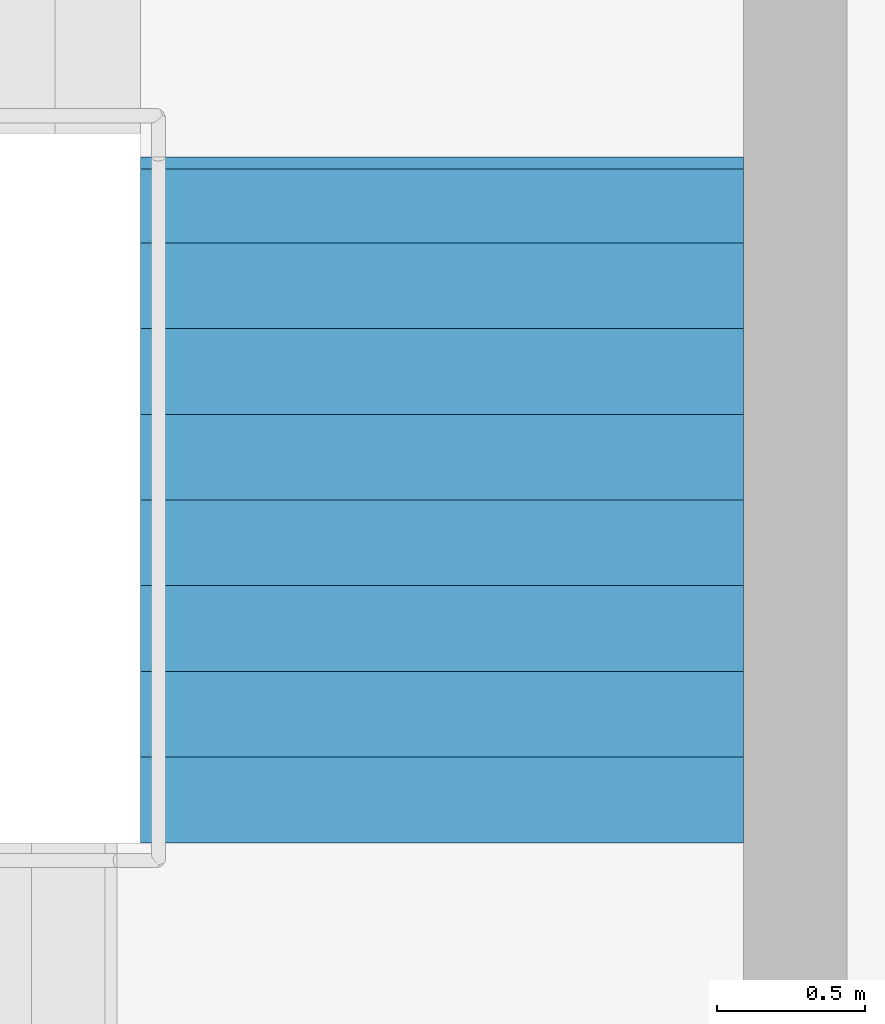
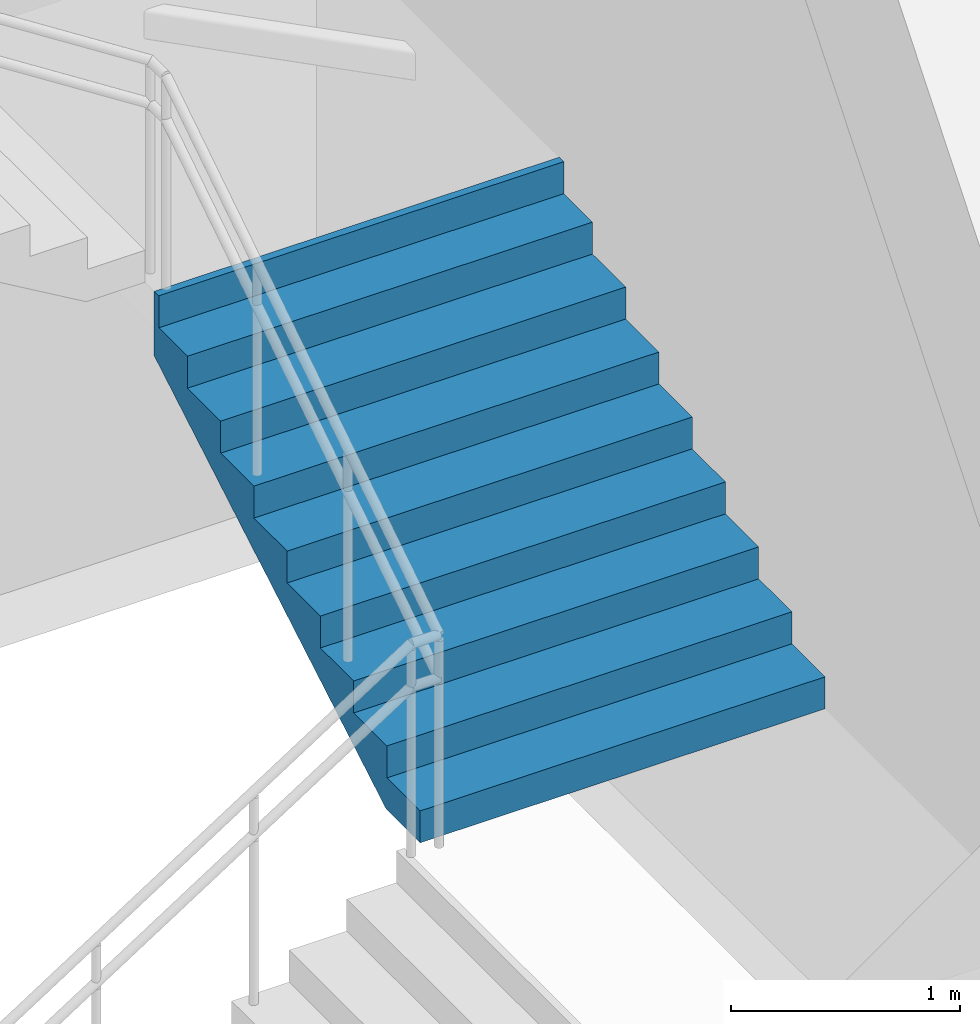
# One storey, part 42 of 46: 1 stair flight, 1 element without a shape of its own.
"""IFC4 building model written with IfcOpenShell, lengths in metres."""

from ifc_helpers import new_model, si_unit, direction, frame, origin, place, context, subcontext, project, spatial, triangles, material, type_object, element, aggregate, save


model = new_model("IFC4")

# Units and contexts
model_context = context("Model", 3, precision=1e-05, world=origin(), true_north=direction((0.0, 1.0)))
body_context = subcontext(model_context, "Body", "Model", "MODEL_VIEW")
ifc_project = project(units=[si_unit("LENGTHUNIT", "METRE"), si_unit("AREAUNIT", "SQUARE_METRE"), si_unit("VOLUMEUNIT", "CUBIC_METRE"), si_unit("PLANEANGLEUNIT", "RADIAN"), si_unit("MASSUNIT", "GRAM", prefix="KILO")], contexts=[model_context])

# Site, building, storey
site_placement = place(None, origin())
site = spatial("IfcSite", under=ifc_project, at=site_placement, CompositionType="ELEMENT")
building_placement = place(site_placement, origin())
building = spatial("IfcBuilding", under=site, at=building_placement, Name="Sillaruma Civic Art Gallery", CompositionType="ELEMENT")
storey_placement = place(building_placement, frame((0.0, 0.0, 16.320068359375)))
storey = spatial("IfcBuildingStorey", under=building, at=storey_placement, Name="L03", CompositionType="ELEMENT", Elevation=16.320068359375)

# Stair, stair flight
ifc_material = material(Name="Concrete H35 (35 MPa)", Category="concrete")
stair_type = type_object("IfcStairType", Name="STR-4F-36", PredefinedType="USERDEFINED", material=ifc_material)
stair_placement = place(storey_placement, origin())
stair = element("IfcStair", 1, at=stair_placement, inside=storey, type_object=stair_type, Name="Protected Exit Stair ST-02 (West Bar North) (L03)", ObjectType="THREE_RETURN_STAIR", PredefinedType="USERDEFINED")
stair_flight_type = type_object("IfcStairFlightType", Name="SFL-STR-9", PredefinedType="STRAIGHT", material=ifc_material)
stair_flight_placement = place(storey_placement, frame((68.219970703125, 82.949951171875, 1.530029296875), z_axis=(0.0, 0.0, 1.0), x_axis=(0.0, 1.0, 0.0)))
stair_flight = element("IfcStairFlight", 2, at=stair_flight_placement, type_object=stair_flight_type, Name="ST-02 flight 2", NumberOfRisers=9, NumberOfTreads=8, PredefinedType="STRAIGHT", RiserHeight=0.17, TreadLength=0.29, context=body_context, shape_type="Tessellation", body=[
    triangles([(0.0, -1.02001953125, 0.0), (0.29, -1.02001953125, 0.0), (0.296482, -1.02001953125, 0.0), (0.58, -1.02001953125, 0.1662), (0.87, -1.02001953125, 0.3362), (1.16, -1.02001953125, 0.5062), (1.45, -1.02001953125, 0.6762), (1.74, -1.02001953125, 0.8462), (2.03, -1.02001953125, 1.0162), (2.280068, -1.02001953125, 1.162792), (2.320068, -1.02001953125, 1.18624), (2.320068, -1.02001953125, 1.53), (2.280068, -1.02001953125, 1.53), (2.280068, -1.02001953125, 1.36), (2.03, -1.02001953125, 1.36), (2.03, -1.02001953125, 1.19), (1.74, -1.02001953125, 1.19), (1.74, -1.02001953125, 1.02), (1.45, -1.02001953125, 1.02), (1.45, -1.02001953125, 0.85), (1.16, -1.02001953125, 0.85), (1.16, -1.02001953125, 0.68), (0.87, -1.02001953125, 0.68), (0.87, -1.02001953125, 0.51), (0.58, -1.02001953125, 0.51), (0.58, -1.02001953125, 0.34), (0.296482, -1.02001953125, 0.34), (0.29, -1.02001953125, 0.34), (0.29, -1.02001953125, 0.17), (0.0, -1.02001953125, 0.17), (0.0, -0.05, 0.0), (0.29, -0.05, 0.0), (0.296482, -0.05, 0.0), (0.58, -0.05, 0.1662), (0.87, -0.05, 0.3362), (1.16, -0.05, 0.5062), (1.45, -0.05, 0.6762), (1.74, -0.05, 0.8462), (2.03, -0.05, 1.0162), (2.280068, -0.05, 1.162792), (2.320068, -0.05, 1.18624), (2.320068, -0.05, 1.53), (2.280068, -0.05, 1.53), (2.280068, -0.05, 1.36), (2.03, -0.05, 1.36), (2.03, -0.05, 1.19), (1.74, -0.05, 1.19), (1.74, -0.05, 1.02), (1.45, -0.05, 1.02), (1.45, -0.05, 0.85), (1.16, -0.05, 0.85), (1.16, -0.05, 0.68), (0.87, -0.05, 0.68), (0.87, -0.05, 0.51), (0.58, -0.05, 0.51), (0.58, -0.05, 0.34), (0.296482, -0.05, 0.34), (0.29, -0.05, 0.34), (0.29, -0.05, 0.17), (0.0, -0.05, 0.17), (0.0, -0.0375, 0.0), (0.29, -0.0375, 0.0), (0.296482, -0.0375, 0.0), (0.58, -0.0375, 0.1662), (0.87, -0.0375, 0.3362), (1.16, -0.0375, 0.5062), (1.45, -0.0375, 0.6762), (1.74, -0.0375, 0.8462), (2.03, -0.0375, 1.0162), (2.280068, -0.0375, 1.162792), (2.320068, -0.0375, 1.18624), (2.320068, -0.0375, 1.53), (2.280068, -0.0375, 1.53), (2.280068, -0.0375, 1.36), (2.03, -0.0375, 1.36), (2.03, -0.0375, 1.19), (1.74, -0.0375, 1.19), (1.74, -0.0375, 1.02), (1.45, -0.0375, 1.02), (1.45, -0.0375, 0.85), (1.16, -0.0375, 0.85), (1.16, -0.0375, 0.68), (0.87, -0.0375, 0.68), (0.87, -0.0375, 0.51), (0.58, -0.0375, 0.51), (0.58, -0.0375, 0.34), (0.296482, -0.0375, 0.34), (0.29, -0.0375, 0.34), (0.29, -0.0375, 0.17), (0.0, -0.0375, 0.17), (0.0, -0.025, 0.0), (0.29, -0.025, 0.0), (0.296482, -0.025, 0.0), (0.58, -0.025, 0.1662), (0.87, -0.025, 0.3362), (1.16, -0.025, 0.5062), (1.45, -0.025, 0.6762), (1.74, -0.025, 0.8462), (2.03, -0.025, 1.0162), (2.280068, -0.025, 1.162792), (2.320068, -0.025, 1.18624), (2.320068, -0.025, 1.53), (2.280068, -0.025, 1.53), (2.280068, -0.025, 1.36), (2.03, -0.025, 1.36), (2.03, -0.025, 1.19), (1.74, -0.025, 1.19), (1.74, -0.025, 1.02), (1.45, -0.025, 1.02), (1.45, -0.025, 0.85), (1.16, -0.025, 0.85), (1.16, -0.025, 0.68), (0.87, -0.025, 0.68), (0.87, -0.025, 0.51), (0.58, -0.025, 0.51), (0.58, -0.025, 0.34), (0.296482, -0.025, 0.34), (0.29, -0.025, 0.34), (0.29, -0.025, 0.17), (0.0, -0.025, 0.17), (0.0, -0.0125, 0.0), (0.29, -0.0125, 0.0), (0.296482, -0.0125, 0.0), (0.58, -0.0125, 0.1662), (0.87, -0.0125, 0.3362), (1.16, -0.0125, 0.5062), (1.45, -0.0125, 0.6762), (1.74, -0.0125, 0.8462), (2.03, -0.0125, 1.0162), (2.280068, -0.0125, 1.162792), (2.320068, -0.0125, 1.18624), (2.320068, -0.0125, 1.53), (2.280068, -0.0125, 1.53), (2.280068, -0.0125, 1.36), (2.03, -0.0125, 1.36), (2.03, -0.0125, 1.19), (1.74, -0.0125, 1.19), (1.74, -0.0125, 1.02), (1.45, -0.0125, 1.02), (1.45, -0.0125, 0.85), (1.16, -0.0125, 0.85), (1.16, -0.0125, 0.68), (0.87, -0.0125, 0.68), (0.87, -0.0125, 0.51), (0.58, -0.0125, 0.51), (0.58, -0.0125, 0.34), (0.296482, -0.0125, 0.34), (0.29, -0.0125, 0.34), (0.29, -0.0125, 0.17), (0.0, -0.0125, 0.17), (0.0, 0.0, 0.0), (0.29, 0.0, 0.0), (0.296482, 0.0, 0.0), (0.58, 0.0, 0.1662), (0.87, 0.0, 0.3362), (1.16, 0.0, 0.5062), (1.45, 0.0, 0.6762), (1.74, 0.0, 0.8462), (2.03, 0.0, 1.0162), (2.280068, 0.0, 1.162792), (2.320068, 0.0, 1.18624), (2.320068, 0.0, 1.53), (2.280068, 0.0, 1.53), (2.280068, 0.0, 1.36), (2.03, 0.0, 1.36), (2.03, 0.0, 1.19), (1.74, 0.0, 1.19), (1.74, 0.0, 1.02), (1.45, 0.0, 1.02), (1.45, 0.0, 0.85), (1.16, 0.0, 0.85), (1.16, 0.0, 0.68), (0.87, 0.0, 0.68), (0.87, 0.0, 0.51), (0.58, 0.0, 0.51), (0.58, 0.0, 0.34), (0.296482, 0.0, 0.34), (0.29, 0.0, 0.34), (0.29, 0.0, 0.17), (0.0, 0.0, 0.17), (0.0, 0.0125, 0.0), (0.29, 0.0125, 0.0), (0.296482, 0.0125, 0.0), (0.58, 0.0125, 0.1662), (0.87, 0.0125, 0.3362), (1.16, 0.0125, 0.5062), (1.45, 0.0125, 0.6762), (1.74, 0.0125, 0.8462), (2.03, 0.0125, 1.0162), (2.280068, 0.0125, 1.162792), (2.320068, 0.0125, 1.18624), (2.320068, 0.0125, 1.53), (2.280068, 0.0125, 1.53), (2.280068, 0.0125, 1.36), (2.03, 0.0125, 1.36), (2.03, 0.0125, 1.19), (1.74, 0.0125, 1.19), (1.74, 0.0125, 1.02), (1.45, 0.0125, 1.02), (1.45, 0.0125, 0.85), (1.16, 0.0125, 0.85), (1.16, 0.0125, 0.68), (0.87, 0.0125, 0.68), (0.87, 0.0125, 0.51), (0.58, 0.0125, 0.51), (0.58, 0.0125, 0.34), (0.296482, 0.0125, 0.34), (0.29, 0.0125, 0.34), (0.29, 0.0125, 0.17), (0.0, 0.0125, 0.17), (0.0, 0.025, 0.0), (0.29, 0.025, 0.0), (0.296482, 0.025, 0.0), (0.58, 0.025, 0.1662), (0.87, 0.025, 0.3362), (1.16, 0.025, 0.5062), (1.45, 0.025, 0.6762), (1.74, 0.025, 0.8462), (2.03, 0.025, 1.0162), (2.280068, 0.025, 1.162792), (2.320068, 0.025, 1.18624), (2.320068, 0.025, 1.53), (2.280068, 0.025, 1.53), (2.280068, 0.025, 1.36), (2.03, 0.025, 1.36), (2.03, 0.025, 1.19), (1.74, 0.025, 1.19), (1.74, 0.025, 1.02), (1.45, 0.025, 1.02), (1.45, 0.025, 0.85), (1.16, 0.025, 0.85), (1.16, 0.025, 0.68), (0.87, 0.025, 0.68), (0.87, 0.025, 0.51), (0.58, 0.025, 0.51), (0.58, 0.025, 0.34), (0.296482, 0.025, 0.34), (0.29, 0.025, 0.34), (0.29, 0.025, 0.17), (0.0, 0.025, 0.17), (0.0, 0.0375, 0.0), (0.29, 0.0375, 0.0), (0.296482, 0.0375, 0.0), (0.58, 0.0375, 0.1662), (0.87, 0.0375, 0.3362), (1.16, 0.0375, 0.5062), (1.45, 0.0375, 0.6762), (1.74, 0.0375, 0.8462), (2.03, 0.0375, 1.0162), (2.280068, 0.0375, 1.162792), (2.320068, 0.0375, 1.18624), (2.320068, 0.0375, 1.53), (2.280068, 0.0375, 1.53), (2.280068, 0.0375, 1.36), (2.03, 0.0375, 1.36), (2.03, 0.0375, 1.19), (1.74, 0.0375, 1.19), (1.74, 0.0375, 1.02), (1.45, 0.0375, 1.02), (1.45, 0.0375, 0.85), (1.16, 0.0375, 0.85), (1.16, 0.0375, 0.68), (0.87, 0.0375, 0.68), (0.87, 0.0375, 0.51), (0.58, 0.0375, 0.51), (0.58, 0.0375, 0.34), (0.296482, 0.0375, 0.34), (0.29, 0.0375, 0.34), (0.29, 0.0375, 0.17), (0.0, 0.0375, 0.17), (0.0, 0.05, 0.0), (0.29, 0.05, 0.0), (0.296482, 0.05, 0.0), (0.58, 0.05, 0.1662), (0.87, 0.05, 0.3362), (1.16, 0.05, 0.5062), (1.45, 0.05, 0.6762), (1.74, 0.05, 0.8462), (2.03, 0.05, 1.0162), (2.280068, 0.05, 1.162792), (2.320068, 0.05, 1.18624), (2.320068, 0.05, 1.53), (2.280068, 0.05, 1.53), (2.280068, 0.05, 1.36), (2.03, 0.05, 1.36), (2.03, 0.05, 1.19), (1.74, 0.05, 1.19), (1.74, 0.05, 1.02), (1.45, 0.05, 1.02), (1.45, 0.05, 0.85), (1.16, 0.05, 0.85), (1.16, 0.05, 0.68), (0.87, 0.05, 0.68), (0.87, 0.05, 0.51), (0.58, 0.05, 0.51), (0.58, 0.05, 0.34), (0.296482, 0.05, 0.34), (0.29, 0.05, 0.34), (0.29, 0.05, 0.17), (0.0, 0.05, 0.17), (0.0, 1.02001953125, 0.0), (0.29, 1.02001953125, 0.0), (0.296482, 1.02001953125, 0.0), (0.58, 1.02001953125, 0.1662), (0.87, 1.02001953125, 0.3362), (1.16, 1.02001953125, 0.5062), (1.45, 1.02001953125, 0.6762), (1.74, 1.02001953125, 0.8462), (2.03, 1.02001953125, 1.0162), (2.280068, 1.02001953125, 1.162792), (2.320068, 1.02001953125, 1.18624), (2.320068, 1.02001953125, 1.53), (2.280068, 1.02001953125, 1.53), (2.280068, 1.02001953125, 1.36), (2.03, 1.02001953125, 1.36), (2.03, 1.02001953125, 1.19), (1.74, 1.02001953125, 1.19), (1.74, 1.02001953125, 1.02), (1.45, 1.02001953125, 1.02), (1.45, 1.02001953125, 0.85), (1.16, 1.02001953125, 0.85), (1.16, 1.02001953125, 0.68), (0.87, 1.02001953125, 0.68), (0.87, 1.02001953125, 0.51), (0.58, 1.02001953125, 0.51), (0.58, 1.02001953125, 0.34), (0.296482, 1.02001953125, 0.34), (0.29, 1.02001953125, 0.34), (0.29, 1.02001953125, 0.17), (0.0, 1.02001953125, 0.17)], [[1, 2, 29], [1, 29, 30], [2, 3, 27], [2, 27, 29], [29, 27, 28], [3, 4, 26], [3, 26, 27], [4, 5, 24], [4, 24, 26], [26, 24, 25], [5, 6, 22], [5, 22, 24], [24, 22, 23], [6, 7, 20], [6, 20, 22], [22, 20, 21], [7, 8, 18], [7, 18, 20], [20, 18, 19], [8, 9, 16], [8, 16, 18], [18, 16, 17], [9, 10, 14], [9, 14, 16], [16, 14, 15], [10, 11, 12], [10, 12, 14], [14, 12, 13], [329, 302, 301], [330, 329, 301], [327, 303, 302], [329, 327, 302], [328, 327, 329], [326, 304, 303], [327, 326, 303], [324, 305, 304], [326, 324, 304], [325, 324, 326], [322, 306, 305], [324, 322, 305], [323, 322, 324], [320, 307, 306], [322, 320, 306], [321, 320, 322], [318, 308, 307], [320, 318, 307], [319, 318, 320], [316, 309, 308], [318, 316, 308], [317, 316, 318], [314, 310, 309], [316, 314, 309], [315, 314, 316], [312, 311, 310], [314, 312, 310], [313, 312, 314], [2, 1, 31], [2, 31, 32], [3, 2, 32], [3, 32, 33], [4, 3, 33], [4, 33, 34], [5, 4, 34], [5, 34, 35], [6, 5, 35], [6, 35, 36], [7, 6, 36], [7, 36, 37], [8, 7, 37], [8, 37, 38], [9, 8, 38], [9, 38, 39], [10, 9, 39], [10, 39, 40], [11, 10, 40], [11, 40, 41], [12, 11, 41], [12, 41, 42], [13, 12, 42], [13, 42, 43], [14, 13, 43], [14, 43, 44], [15, 14, 44], [15, 44, 45], [16, 15, 45], [16, 45, 46], [17, 16, 46], [17, 46, 47], [18, 17, 47], [18, 47, 48], [19, 18, 48], [19, 48, 49], [20, 19, 49], [20, 49, 50], [21, 20, 50], [21, 50, 51], [22, 21, 51], [22, 51, 52], [23, 22, 52], [23, 52, 53], [24, 23, 53], [24, 53, 54], [25, 24, 54], [25, 54, 55], [26, 25, 55], [26, 55, 56], [27, 26, 56], [27, 56, 57], [28, 27, 57], [28, 57, 58], [29, 28, 58], [29, 58, 59], [30, 29, 59], [30, 59, 60], [1, 30, 60], [1, 60, 31], [32, 31, 61], [32, 61, 62], [33, 32, 62], [33, 62, 63], [34, 33, 63], [34, 63, 64], [35, 34, 64], [35, 64, 65], [36, 35, 65], [36, 65, 66], [37, 36, 66], [37, 66, 67], [38, 37, 67], [38, 67, 68], [39, 38, 68], [39, 68, 69], [40, 39, 69], [40, 69, 70], [41, 40, 70], [41, 70, 71], [42, 41, 71], [42, 71, 72], [43, 42, 72], [43, 72, 73], [44, 43, 73], [44, 73, 74], [45, 44, 74], [45, 74, 75], [46, 45, 75], [46, 75, 76], [47, 46, 76], [47, 76, 77], [48, 47, 77], [48, 77, 78], [49, 48, 78], [49, 78, 79], [50, 49, 79], [50, 79, 80], [51, 50, 80], [51, 80, 81], [52, 51, 81], [52, 81, 82], [53, 52, 82], [53, 82, 83], [54, 53, 83], [54, 83, 84], [55, 54, 84], [55, 84, 85], [56, 55, 85], [56, 85, 86], [57, 56, 86], [57, 86, 87], [58, 57, 87], [58, 87, 88], [59, 58, 88], [59, 88, 89], [60, 59, 89], [60, 89, 90], [31, 60, 90], [31, 90, 61], [62, 61, 91], [62, 91, 92], [63, 62, 92], [63, 92, 93], [64, 63, 93], [64, 93, 94], [65, 64, 94], [65, 94, 95], [66, 65, 95], [66, 95, 96], [67, 66, 96], [67, 96, 97], [68, 67, 97], [68, 97, 98], [69, 68, 98], [69, 98, 99], [70, 69, 99], [70, 99, 100], [71, 70, 100], [71, 100, 101], [72, 71, 101], [72, 101, 102], [73, 72, 102], [73, 102, 103], [74, 73, 103], [74, 103, 104], [75, 74, 104], [75, 104, 105], [76, 75, 105], [76, 105, 106], [77, 76, 106], [77, 106, 107], [78, 77, 107], [78, 107, 108], [79, 78, 108], [79, 108, 109], [80, 79, 109], [80, 109, 110], [81, 80, 110], [81, 110, 111], [82, 81, 111], [82, 111, 112], [83, 82, 112], [83, 112, 113], [84, 83, 113], [84, 113, 114], [85, 84, 114], [85, 114, 115], [86, 85, 115], [86, 115, 116], [87, 86, 116], [87, 116, 117], [88, 87, 117], [88, 117, 118], [89, 88, 118], [89, 118, 119], [90, 89, 119], [90, 119, 120], [61, 90, 120], [61, 120, 91], [92, 91, 121], [92, 121, 122], [93, 92, 122], [93, 122, 123], [94, 93, 123], [94, 123, 124], [95, 94, 124], [95, 124, 125], [96, 95, 125], [96, 125, 126], [97, 96, 126], [97, 126, 127], [98, 97, 127], [98, 127, 128], [99, 98, 128], [99, 128, 129], [100, 99, 129], [100, 129, 130], [101, 100, 130], [101, 130, 131], [102, 101, 131], [102, 131, 132], [103, 102, 132], [103, 132, 133], [104, 103, 133], [104, 133, 134], [105, 104, 134], [105, 134, 135], [106, 105, 135], [106, 135, 136], [107, 106, 136], [107, 136, 137], [108, 107, 137], [108, 137, 138], [109, 108, 138], [109, 138, 139], [110, 109, 139], [110, 139, 140], [111, 110, 140], [111, 140, 141], [112, 111, 141], [112, 141, 142], [113, 112, 142], [113, 142, 143], [114, 113, 143], [114, 143, 144], [115, 114, 144], [115, 144, 145], [116, 115, 145], [116, 145, 146], [117, 116, 146], [117, 146, 147], [118, 117, 147], [118, 147, 148], [119, 118, 148], [119, 148, 149], [120, 119, 149], [120, 149, 150], [91, 120, 150], [91, 150, 121], [122, 121, 151], [122, 151, 152], [123, 122, 152], [123, 152, 153], [124, 123, 153], [124, 153, 154], [125, 124, 154], [125, 154, 155], [126, 125, 155], [126, 155, 156], [127, 126, 156], [127, 156, 157], [128, 127, 157], [128, 157, 158], [129, 128, 158], [129, 158, 159], [130, 129, 159], [130, 159, 160], [131, 130, 160], [131, 160, 161], [132, 131, 161], [132, 161, 162], [133, 132, 162], [133, 162, 163], [134, 133, 163], [134, 163, 164], [135, 134, 164], [135, 164, 165], [136, 135, 165], [136, 165, 166], [137, 136, 166], [137, 166, 167], [138, 137, 167], [138, 167, 168], [139, 138, 168], [139, 168, 169], [140, 139, 169], [140, 169, 170], [141, 140, 170], [141, 170, 171], [142, 141, 171], [142, 171, 172], [143, 142, 172], [143, 172, 173], [144, 143, 173], [144, 173, 174], [145, 144, 174], [145, 174, 175], [146, 145, 175], [146, 175, 176], [147, 146, 176], [147, 176, 177], [148, 147, 177], [148, 177, 178], [149, 148, 178], [149, 178, 179], [150, 149, 179], [150, 179, 180], [121, 150, 180], [121, 180, 151], [152, 151, 181], [152, 181, 182], [153, 152, 182], [153, 182, 183], [154, 153, 183], [154, 183, 184], [155, 154, 184], [155, 184, 185], [156, 155, 185], [156, 185, 186], [157, 156, 186], [157, 186, 187], [158, 157, 187], [158, 187, 188], [159, 158, 188], [159, 188, 189], [160, 159, 189], [160, 189, 190], [161, 160, 190], [161, 190, 191], [162, 161, 191], [162, 191, 192], [163, 162, 192], [163, 192, 193], [164, 163, 193], [164, 193, 194], [165, 164, 194], [165, 194, 195], [166, 165, 195], [166, 195, 196], [167, 166, 196], [167, 196, 197], [168, 167, 197], [168, 197, 198], [169, 168, 198], [169, 198, 199], [170, 169, 199], [170, 199, 200], [171, 170, 200], [171, 200, 201], [172, 171, 201], [172, 201, 202], [173, 172, 202], [173, 202, 203], [174, 173, 203], [174, 203, 204], [175, 174, 204], [175, 204, 205], [176, 175, 205], [176, 205, 206], [177, 176, 206], [177, 206, 207], [178, 177, 207], [178, 207, 208], [179, 178, 208], [179, 208, 209], [180, 179, 209], [180, 209, 210], [151, 180, 210], [151, 210, 181], [182, 181, 211], [182, 211, 212], [183, 182, 212], [183, 212, 213], [184, 183, 213], [184, 213, 214], [185, 184, 214], [185, 214, 215], [186, 185, 215], [186, 215, 216], [187, 186, 216], [187, 216, 217], [188, 187, 217], [188, 217, 218], [189, 188, 218], [189, 218, 219], [190, 189, 219], [190, 219, 220], [191, 190, 220], [191, 220, 221], [192, 191, 221], [192, 221, 222], [193, 192, 222], [193, 222, 223], [194, 193, 223], [194, 223, 224], [195, 194, 224], [195, 224, 225], [196, 195, 225], [196, 225, 226], [197, 196, 226], [197, 226, 227], [198, 197, 227], [198, 227, 228], [199, 198, 228], [199, 228, 229], [200, 199, 229], [200, 229, 230], [201, 200, 230], [201, 230, 231], [202, 201, 231], [202, 231, 232], [203, 202, 232], [203, 232, 233], [204, 203, 233], [204, 233, 234], [205, 204, 234], [205, 234, 235], [206, 205, 235], [206, 235, 236], [207, 206, 236], [207, 236, 237], [208, 207, 237], [208, 237, 238], [209, 208, 238], [209, 238, 239], [210, 209, 239], [210, 239, 240], [181, 210, 240], [181, 240, 211], [212, 211, 241], [212, 241, 242], [213, 212, 242], [213, 242, 243], [214, 213, 243], [214, 243, 244], [215, 214, 244], [215, 244, 245], [216, 215, 245], [216, 245, 246], [217, 216, 246], [217, 246, 247], [218, 217, 247], [218, 247, 248], [219, 218, 248], [219, 248, 249], [220, 219, 249], [220, 249, 250], [221, 220, 250], [221, 250, 251], [222, 221, 251], [222, 251, 252], [223, 222, 252], [223, 252, 253], [224, 223, 253], [224, 253, 254], [225, 224, 254], [225, 254, 255], [226, 225, 255], [226, 255, 256], [227, 226, 256], [227, 256, 257], [228, 227, 257], [228, 257, 258], [229, 228, 258], [229, 258, 259], [230, 229, 259], [230, 259, 260], [231, 230, 260], [231, 260, 261], [232, 231, 261], [232, 261, 262], [233, 232, 262], [233, 262, 263], [234, 233, 263], [234, 263, 264], [235, 234, 264], [235, 264, 265], [236, 235, 265], [236, 265, 266], [237, 236, 266], [237, 266, 267], [238, 237, 267], [238, 267, 268], [239, 238, 268], [239, 268, 269], [240, 239, 269], [240, 269, 270], [211, 240, 270], [211, 270, 241], [242, 241, 271], [242, 271, 272], [243, 242, 272], [243, 272, 273], [244, 243, 273], [244, 273, 274], [245, 244, 274], [245, 274, 275], [246, 245, 275], [246, 275, 276], [247, 246, 276], [247, 276, 277], [248, 247, 277], [248, 277, 278], [249, 248, 278], [249, 278, 279], [250, 249, 279], [250, 279, 280], [251, 250, 280], [251, 280, 281], [252, 251, 281], [252, 281, 282], [253, 252, 282], [253, 282, 283], [254, 253, 283], [254, 283, 284], [255, 254, 284], [255, 284, 285], [256, 255, 285], [256, 285, 286], [257, 256, 286], [257, 286, 287], [258, 257, 287], [258, 287, 288], [259, 258, 288], [259, 288, 289], [260, 259, 289], [260, 289, 290], [261, 260, 290], [261, 290, 291], [262, 261, 291], [262, 291, 292], [263, 262, 292], [263, 292, 293], [264, 263, 293], [264, 293, 294], [265, 264, 294], [265, 294, 295], [266, 265, 295], [266, 295, 296], [267, 266, 296], [267, 296, 297], [268, 267, 297], [268, 297, 298], [269, 268, 298], [269, 298, 299], [270, 269, 299], [270, 299, 300], [241, 270, 300], [241, 300, 271], [272, 271, 301], [272, 301, 302], [273, 272, 302], [273, 302, 303], [274, 273, 303], [274, 303, 304], [275, 274, 304], [275, 304, 305], [276, 275, 305], [276, 305, 306], [277, 276, 306], [277, 306, 307], [278, 277, 307], [278, 307, 308], [279, 278, 308], [279, 308, 309], [280, 279, 309], [280, 309, 310], [281, 280, 310], [281, 310, 311], [282, 281, 311], [282, 311, 312], [283, 282, 312], [283, 312, 313], [284, 283, 313], [284, 313, 314], [285, 284, 314], [285, 314, 315], [286, 285, 315], [286, 315, 316], [287, 286, 316], [287, 316, 317], [288, 287, 317], [288, 317, 318], [289, 288, 318], [289, 318, 319], [290, 289, 319], [290, 319, 320], [291, 290, 320], [291, 320, 321], [292, 291, 321], [292, 321, 322], [293, 292, 322], [293, 322, 323], [294, 293, 323], [294, 323, 324], [295, 294, 324], [295, 324, 325], [296, 295, 325], [296, 325, 326], [297, 296, 326], [297, 326, 327], [298, 297, 327], [298, 327, 328], [299, 298, 328], [299, 328, 329], [300, 299, 329], [300, 329, 330], [271, 300, 330], [271, 330, 301]], closed=True),
])
aggregate(stair, [stair_flight])

save(model, "model.ifc")
